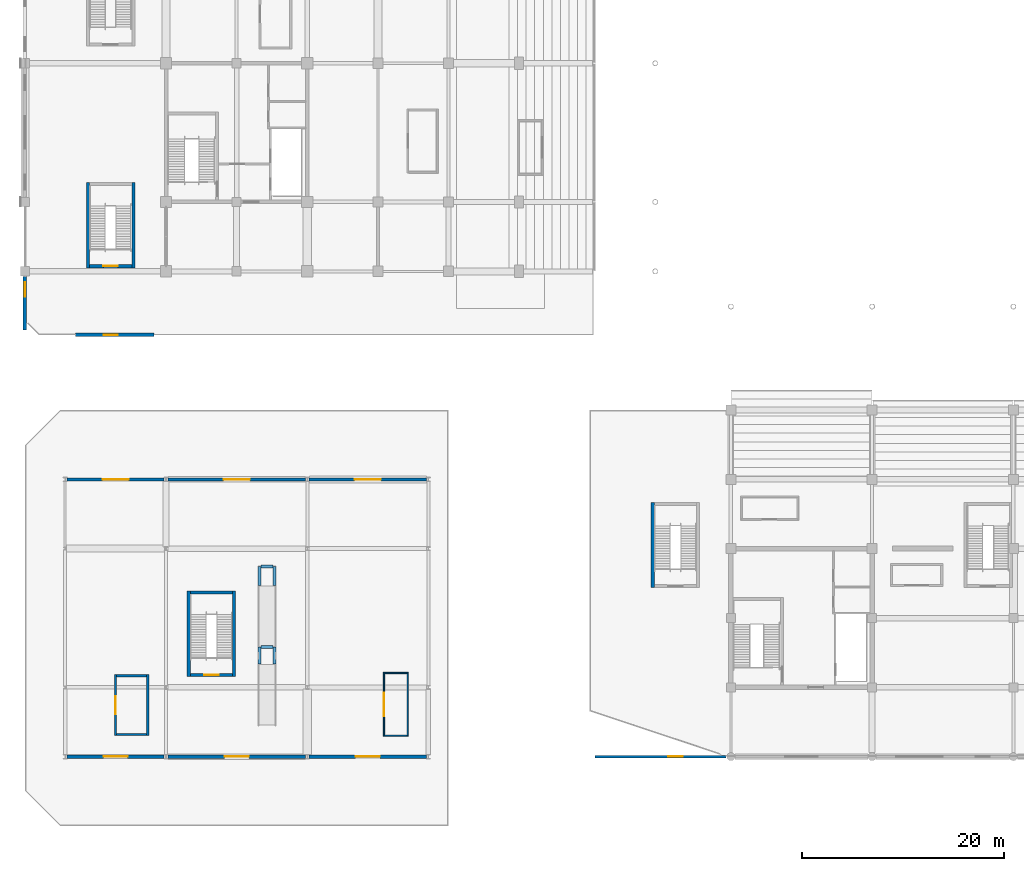
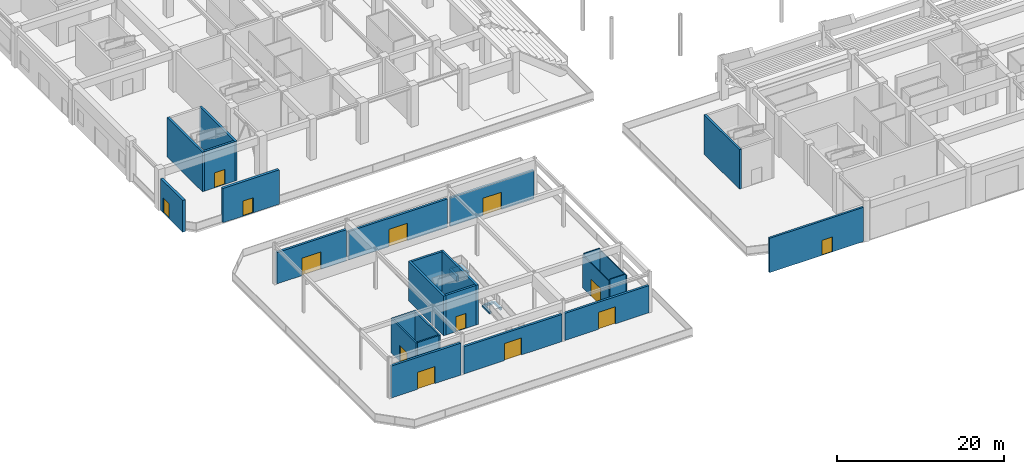
# One storey, part 37 of 73: 31 walls, 13 doors, 13 openings.
"""IFC4 building model written with IfcOpenShell, lengths in metres."""

from ifc_helpers import new_model, si_unit, direction, frame, frame_2d, origin, place, context, subcontext, project, spatial, rectangle, extrude, material, layer, layer_set, type_object, element, fill, save


model = new_model("IFC4")

# Units and contexts
model_context = context("Model", 3, precision=1e-05, world=origin(), true_north=direction((0.0, 1.0)))
body_context = subcontext(model_context, "Body", "Model", "MODEL_VIEW")
ifc_project = project(units=[si_unit("LENGTHUNIT", "METRE"), si_unit("AREAUNIT", "SQUARE_METRE"), si_unit("VOLUMEUNIT", "CUBIC_METRE"), si_unit("PLANEANGLEUNIT", "RADIAN"), si_unit("MASSUNIT", "GRAM", prefix="KILO")], contexts=[model_context])

# Site, building, storey
site_placement = place(None, origin())
site = spatial("IfcSite", under=ifc_project, at=site_placement, CompositionType="ELEMENT")
building_placement = place(site_placement, origin())
building = spatial("IfcBuilding", under=site, at=building_placement, Name="Linyun Crest Stadium", CompositionType="ELEMENT")
storey_placement = place(building_placement, origin())
storey = spatial("IfcBuildingStorey", under=building, at=storey_placement, Name="L01", CompositionType="ELEMENT", Elevation=0.0)

# Wall, opening, door
ifc_material_1 = material(Name="Concrete C40 with celadon ceramic faience", Category="concrete")
ifc_layer_1 = layer(ifc_material_1, 0.280029296875)
ifc_layer_set_1 = layer_set([ifc_layer_1], Name="Concrete C40 with celadon ceramic faience")
wall_type_1 = type_object("IfcWallType", Name="EW03", PredefinedType="SOLIDWALL", material=ifc_layer_set_1)
wall_1_placement = place(storey_placement, frame((-28.5, -94.125, 0.0), z_axis=(0.0, 0.0, 1.0), x_axis=(-1.0, 0.0, 0.0)))
wall_1 = element("IfcWall", 1, at=wall_1_placement, inside=storey, type_object=wall_type_1, Name="Exterior wall EW03 L01 30", PredefinedType="SOLIDWALL", context=body_context, shape_type="SweptSolid", body=[
    extrude(rectangle(XDim=13.0, YDim=0.280029296875, at=frame_2d((6.5, 0.0))), origin(), (0.0, 0.0, 1.0), 5.02001953125),
])
opening_1_placement = place(wall_1_placement, frame((4.300048828125, 0.0, 0.0)))
opening_1 = element("IfcOpeningElement", 2, at=opening_1_placement, cuts=wall_1, Name="Opening E-ST27", PredefinedType="OPENING", context=body_context, shape_type="SweptSolid", body=[
    extrude(rectangle(XDim=1.39990234375, YDim=2.199951171875, at=frame_2d((0.699951171875, 1.10009765625))), frame((0.0, 0.14990234375, 0.0), z_axis=(0.0, -1.0, 0.0), x_axis=(1.0, 0.0, 0.0)), (0.0, 0.0, 1.0), 0.300048828125),
])
ifc_material_2 = material(Name="Galvanized fire-rated steel leaf", Category="steel")
ifc_layer_2 = layer(ifc_material_2, 0.054931640625)
ifc_layer_set_2 = layer_set([ifc_layer_2], Name="Galvanized fire-rated steel leaf")
door_type_1 = type_object("IfcDoorType", Name="FD09", OperationType="NOTDEFINED", PredefinedType="DOOR", material=ifc_layer_set_2)
door_1_placement = place(opening_1_placement, origin())
door_1 = element("IfcDoor", 3, at=door_1_placement, inside=storey, type_object=door_type_1, Name="Stair discharge exit E-ST27", OperationType="SINGLE_SWING_RIGHT", OverallHeight=2.199951171875, OverallWidth=1.39990234375, PredefinedType="DOOR", context=body_context, shape_type="SweptSolid", body=[
    extrude(rectangle(XDim=1.39990234375, YDim=2.199951171875, at=frame_2d((0.699951171875, 1.10009765625))), frame((0.0, 0.02490234375, 0.0), z_axis=(0.0, -1.0, 0.0), x_axis=(1.0, 0.0, 0.0)), (0.0, 0.0, 1.0), 0.050048828125),
])
fill(opening_1, door_1)

ifc_material_3 = material(Name="Concrete C40 with warm ochre ceramic faience", Category="concrete")
ifc_layer_3 = layer(ifc_material_3, 0.31005859375)
ifc_layer_set_3 = layer_set([ifc_layer_3], Name="Concrete C40 with warm ochre ceramic faience")
wall_type_2 = type_object("IfcWallType", Name="EW04", PredefinedType="SOLIDWALL", material=ifc_layer_set_3)
wall_2_placement = place(storey_placement, frame((-84.18994140625, -94.125, 0.0), z_axis=(0.0, 0.0, 1.0), x_axis=(-1.0, 0.0, 0.0)))
wall_2 = element("IfcWall", 4, at=wall_2_placement, inside=storey, type_object=wall_type_2, Name="Exterior wall EW04 L01 38", PredefinedType="SOLIDWALL", context=body_context, shape_type="SweptSolid", body=[
    extrude(rectangle(XDim=9.6201171875, YDim=0.31005859375, at=frame_2d((4.81005859375, 0.0))), origin(), (0.0, 0.0, 1.0), 4.675048828125),
])
opening_2_placement = place(wall_2_placement, frame((3.610107421875, 0.0, 0.0)))
opening_2 = element("IfcOpeningElement", 5, at=opening_2_placement, cuts=wall_2, Name="Opening G05", PredefinedType="OPENING", context=body_context, shape_type="SweptSolid", body=[
    extrude(rectangle(XDim=2.39990234375, YDim=2.5, at=frame_2d((1.199951171875, 1.25))), frame((0.0, 0.1650390625, 0.0), z_axis=(0.0, -1.0, 0.0), x_axis=(1.0, 0.0, 0.0)), (0.0, 0.0, 1.0), 0.330078125),
])
ifc_material_4 = material(Name="Verdigris painted steel botanical gate", Category="steel")
ifc_layer_4 = layer(ifc_material_4, 0.054931640625)
ifc_layer_set_4 = layer_set([ifc_layer_4], Name="Verdigris painted steel botanical gate")
door_type_2 = type_object("IfcDoorType", Name="GD01", OperationType="NOTDEFINED", PredefinedType="DOOR", material=ifc_layer_set_4)
door_2_placement = place(opening_2_placement, origin())
door_2 = element("IfcDoor", 6, at=door_2_placement, inside=storey, type_object=door_type_2, Name="Pedestrian exit gate G05", OperationType="DOUBLE_DOOR_SINGLE_SWING", OverallHeight=2.5, OverallWidth=2.39990234375, PredefinedType="DOOR", context=body_context, shape_type="SweptSolid", body=[
    extrude(rectangle(XDim=2.39990234375, YDim=2.5, at=frame_2d((1.199951171875, 1.25))), frame((0.0, 0.02490234375, 0.0), z_axis=(0.0, -1.0, 0.0), x_axis=(1.0, 0.0, 0.0)), (0.0, 0.0, 1.0), 0.050048828125),
])
fill(opening_2, door_2)

wall_3_placement = place(storey_placement, frame((-93.81005859375, -66.625, 0.0), z_axis=(0.0, 0.0, 1.0), x_axis=(1.0, 0.0, 0.0)))
wall_3 = element("IfcWall", 7, at=wall_3_placement, inside=storey, type_object=wall_type_2, Name="Exterior wall EW04 L01 39", PredefinedType="SOLIDWALL", context=body_context, shape_type="SweptSolid", body=[
    extrude(rectangle(XDim=9.6201171875, YDim=0.31005859375, at=frame_2d((4.81005859375, 0.0))), origin(), (0.0, 0.0, 1.0), 4.574951171875),
])
opening_3_placement = place(wall_3_placement, frame((3.510009765625, 0.0, 0.0)))
opening_3 = element("IfcOpeningElement", 8, at=opening_3_placement, cuts=wall_3, Name="Opening G06", PredefinedType="OPENING", context=body_context, shape_type="SweptSolid", body=[
    extrude(rectangle(XDim=2.60009765625, YDim=2.550048828125, at=frame_2d((1.300048828125, 1.27490234375))), frame((0.0, 0.1650390625, 0.0), z_axis=(0.0, -1.0, 0.0), x_axis=(1.0, 0.0, 0.0)), (0.0, 0.0, 1.0), 0.330078125),
])
ifc_material_5 = material(Name="Verdigris painted steel botanical gate", Category="steel")
ifc_layer_5 = layer(ifc_material_5, 0.054931640625)
ifc_layer_set_5 = layer_set([ifc_layer_5], Name="Verdigris painted steel botanical gate")
door_type_3 = type_object("IfcDoorType", Name="GD02", OperationType="NOTDEFINED", PredefinedType="DOOR", material=ifc_layer_set_5)
door_3_placement = place(opening_3_placement, origin())
door_3 = element("IfcDoor", 9, at=door_3_placement, inside=storey, type_object=door_type_3, Name="Pedestrian exit gate G06", OperationType="DOUBLE_DOOR_SINGLE_SWING", OverallHeight=2.550048828125, OverallWidth=2.60009765625, PredefinedType="DOOR", context=body_context, shape_type="SweptSolid", body=[
    extrude(rectangle(XDim=2.60009765625, YDim=2.550048828125, at=frame_2d((1.300048828125, 1.27490234375))), frame((0.0, 0.02490234375, 0.0), z_axis=(0.0, -1.0, 0.0), x_axis=(1.0, 0.0, 0.0)), (0.0, 0.0, 1.0), 0.050048828125),
])
fill(opening_3, door_3)

wall_4_placement = place(storey_placement, frame((-70.18994140625, -94.125, 0.0), z_axis=(0.0, 0.0, 1.0), x_axis=(-1.0, 0.0, 0.0)))
wall_4 = element("IfcWall", 10, at=wall_4_placement, inside=storey, type_object=wall_type_2, Name="Exterior wall EW04 L01 42", PredefinedType="SOLIDWALL", context=body_context, shape_type="SweptSolid", body=[
    extrude(rectangle(XDim=13.6201171875, YDim=0.31005859375, at=frame_2d((6.81005859375, 0.0))), origin(), (0.0, 0.0, 1.0), 3.97509765625),
])
opening_4_placement = place(wall_4_placement, frame((5.610107421875, 0.0, 0.0)))
opening_4 = element("IfcOpeningElement", 11, at=opening_4_placement, cuts=wall_4, Name="Opening G09", PredefinedType="OPENING", context=body_context, shape_type="SweptSolid", body=[
    extrude(rectangle(XDim=2.39990234375, YDim=2.5, at=frame_2d((1.199951171875, 1.25))), frame((0.0, 0.1650390625, 0.0), z_axis=(0.0, -1.0, 0.0), x_axis=(1.0, 0.0, 0.0)), (0.0, 0.0, 1.0), 0.330078125),
])
door_4_placement = place(opening_4_placement, origin())
door_4 = element("IfcDoor", 12, at=door_4_placement, inside=storey, type_object=door_type_2, Name="Pedestrian exit gate G09", OperationType="DOUBLE_DOOR_SINGLE_SWING", OverallHeight=2.5, OverallWidth=2.39990234375, PredefinedType="DOOR", context=body_context, shape_type="SweptSolid", body=[
    extrude(rectangle(XDim=2.39990234375, YDim=2.5, at=frame_2d((1.199951171875, 1.25))), frame((0.0, 0.02490234375, 0.0), z_axis=(0.0, -1.0, 0.0), x_axis=(1.0, 0.0, 0.0)), (0.0, 0.0, 1.0), 0.050048828125),
])
fill(opening_4, door_4)

wall_5_placement = place(storey_placement, frame((-83.81005859375, -66.625, 0.0), z_axis=(0.0, 0.0, 1.0), x_axis=(1.0, 0.0, 0.0)))
wall_5 = element("IfcWall", 13, at=wall_5_placement, inside=storey, type_object=wall_type_2, Name="Exterior wall EW04 L01 43", PredefinedType="SOLIDWALL", context=body_context, shape_type="SweptSolid", body=[
    extrude(rectangle(XDim=13.6201171875, YDim=0.31005859375, at=frame_2d((6.81005859375, 0.0))), origin(), (0.0, 0.0, 1.0), 4.175048828125),
])
opening_5_placement = place(wall_5_placement, frame((5.510009765625, 0.0, 0.0)))
opening_5 = element("IfcOpeningElement", 14, at=opening_5_placement, cuts=wall_5, Name="Opening G10", PredefinedType="OPENING", context=body_context, shape_type="SweptSolid", body=[
    extrude(rectangle(XDim=2.60009765625, YDim=2.550048828125, at=frame_2d((1.300048828125, 1.27490234375))), frame((0.0, 0.1650390625, 0.0), z_axis=(0.0, -1.0, 0.0), x_axis=(1.0, 0.0, 0.0)), (0.0, 0.0, 1.0), 0.330078125),
])
door_5_placement = place(opening_5_placement, origin())
door_5 = element("IfcDoor", 15, at=door_5_placement, inside=storey, type_object=door_type_3, Name="Pedestrian exit gate G10", OperationType="DOUBLE_DOOR_SINGLE_SWING", OverallHeight=2.550048828125, OverallWidth=2.60009765625, PredefinedType="DOOR", context=body_context, shape_type="SweptSolid", body=[
    extrude(rectangle(XDim=2.60009765625, YDim=2.550048828125, at=frame_2d((1.300048828125, 1.27490234375))), frame((0.0, 0.02490234375, 0.0), z_axis=(0.0, -1.0, 0.0), x_axis=(1.0, 0.0, 0.0)), (0.0, 0.0, 1.0), 0.050048828125),
])
fill(opening_5, door_5)

wall_6_placement = place(storey_placement, frame((-58.18994140625, -94.125, 0.0), z_axis=(0.0, 0.0, 1.0), x_axis=(-1.0, 0.0, 0.0)))
wall_6 = element("IfcWall", 16, at=wall_6_placement, inside=storey, type_object=wall_type_2, Name="Exterior wall EW04 L01 46", PredefinedType="SOLIDWALL", context=body_context, shape_type="SweptSolid", body=[
    extrude(rectangle(XDim=11.6201171875, YDim=0.31005859375, at=frame_2d((5.81005859375, 0.0))), origin(), (0.0, 0.0, 1.0), 3.97509765625),
])
opening_6_placement = place(wall_6_placement, frame((4.610107421875, 0.0, 0.0)))
opening_6 = element("IfcOpeningElement", 17, at=opening_6_placement, cuts=wall_6, Name="Opening G13", PredefinedType="OPENING", context=body_context, shape_type="SweptSolid", body=[
    extrude(rectangle(XDim=2.39990234375, YDim=2.5, at=frame_2d((1.199951171875, 1.25))), frame((0.0, 0.1650390625, 0.0), z_axis=(0.0, -1.0, 0.0), x_axis=(1.0, 0.0, 0.0)), (0.0, 0.0, 1.0), 0.330078125),
])
door_6_placement = place(opening_6_placement, origin())
door_6 = element("IfcDoor", 18, at=door_6_placement, inside=storey, type_object=door_type_2, Name="Pedestrian exit gate G13", OperationType="DOUBLE_DOOR_SINGLE_SWING", OverallHeight=2.5, OverallWidth=2.39990234375, PredefinedType="DOOR", context=body_context, shape_type="SweptSolid", body=[
    extrude(rectangle(XDim=2.39990234375, YDim=2.5, at=frame_2d((1.199951171875, 1.25))), frame((0.0, 0.02490234375, 0.0), z_axis=(0.0, -1.0, 0.0), x_axis=(1.0, 0.0, 0.0)), (0.0, 0.0, 1.0), 0.050048828125),
])
fill(opening_6, door_6)

wall_7_placement = place(storey_placement, frame((-69.81005859375, -66.625, 0.0), z_axis=(0.0, 0.0, 1.0), x_axis=(1.0, 0.0, 0.0)))
wall_7 = element("IfcWall", 19, at=wall_7_placement, inside=storey, type_object=wall_type_2, Name="Exterior wall EW04 L01 47", PredefinedType="SOLIDWALL", context=body_context, shape_type="SweptSolid", body=[
    extrude(rectangle(XDim=11.6201171875, YDim=0.31005859375, at=frame_2d((5.81005859375, 0.0))), origin(), (0.0, 0.0, 1.0), 4.175048828125),
])
opening_7_placement = place(wall_7_placement, frame((4.510009765625, 0.0, 0.0)))
opening_7 = element("IfcOpeningElement", 20, at=opening_7_placement, cuts=wall_7, Name="Opening G14", PredefinedType="OPENING", context=body_context, shape_type="SweptSolid", body=[
    extrude(rectangle(XDim=2.60009765625, YDim=2.550048828125, at=frame_2d((1.300048828125, 1.27490234375))), frame((0.0, 0.1650390625, 0.0), z_axis=(0.0, -1.0, 0.0), x_axis=(1.0, 0.0, 0.0)), (0.0, 0.0, 1.0), 0.330078125),
])
door_7_placement = place(opening_7_placement, origin())
door_7 = element("IfcDoor", 21, at=door_7_placement, inside=storey, type_object=door_type_3, Name="Pedestrian exit gate G14", OperationType="DOUBLE_DOOR_SINGLE_SWING", OverallHeight=2.550048828125, OverallWidth=2.60009765625, PredefinedType="DOOR", context=body_context, shape_type="SweptSolid", body=[
    extrude(rectangle(XDim=2.60009765625, YDim=2.550048828125, at=frame_2d((1.300048828125, 1.27490234375))), frame((0.0, 0.02490234375, 0.0), z_axis=(0.0, -1.0, 0.0), x_axis=(1.0, 0.0, 0.0)), (0.0, 0.0, 1.0), 0.050048828125),
])
fill(opening_7, door_7)

ifc_material_6 = material(Name="Precast concrete C40 architectural plinth panel", Category="concrete")
ifc_layer_6 = layer(ifc_material_6, 0.360107421875)
ifc_layer_set_6 = layer_set([ifc_layer_6], Name="Precast concrete C40 architectural plinth panel")
wall_type_3 = type_object("IfcWallType", Name="EW06", PredefinedType="SOLIDWALL", material=ifc_layer_set_6)
wall_8_placement = place(storey_placement, frame((-85.199951171875, -52.300048828125, 0.0), z_axis=(0.0, 0.0, 1.0), x_axis=(-1.0, 0.0, 0.0)))
wall_8 = element("IfcWall", 22, at=wall_8_placement, inside=storey, type_object=wall_type_3, Name="Exterior wall EW06 L01 25", PredefinedType="SOLIDWALL", context=body_context, shape_type="SweptSolid", body=[
    extrude(rectangle(XDim=7.800048828125, YDim=0.360107421875, at=frame_2d((3.89990234375, 0.0))), origin(), (0.0, 0.0, 1.0), 5.02001953125),
])
opening_8_placement = place(wall_8_placement, frame((3.60009765625, 0.0, 0.0)))
opening_8 = element("IfcOpeningElement", 23, at=opening_8_placement, cuts=wall_8, Name="Opening FD-FC1", PredefinedType="OPENING", context=body_context, shape_type="SweptSolid", body=[
    extrude(rectangle(XDim=1.39990234375, YDim=2.199951171875, at=frame_2d((0.699951171875, 1.10009765625))), frame((0.0, 0.18994140625, 0.0), z_axis=(0.0, -1.0, 0.0), x_axis=(1.0, 0.0, 0.0)), (0.0, 0.0, 1.0), 0.380126953125),
])
door_8_placement = place(opening_8_placement, origin())
door_8 = element("IfcDoor", 24, at=door_8_placement, inside=storey, type_object=door_type_1, Name="Fire Command Centre exterior exit FD-FC1", OperationType="SINGLE_SWING_RIGHT", OverallHeight=2.199951171875, OverallWidth=1.39990234375, PredefinedType="DOOR", context=body_context, shape_type="SweptSolid", body=[
    extrude(rectangle(XDim=1.39990234375, YDim=2.199951171875, at=frame_2d((0.699951171875, 1.10009765625))), frame((0.0, 0.02490234375, 0.0), z_axis=(0.0, -1.0, 0.0), x_axis=(1.0, 0.0, 0.0)), (0.0, 0.0, 1.0), 0.050048828125),
])
fill(opening_8, door_8)

wall_9_placement = place(storey_placement, frame((-98.0, -51.800048828125, 0.0), z_axis=(0.0, 0.0, 1.0), x_axis=(0.0, 1.0, 0.0)))
wall_9 = element("IfcWall", 25, at=wall_9_placement, inside=storey, type_object=wall_type_3, Name="Exterior wall EW06 L01 26", PredefinedType="SOLIDWALL", context=body_context, shape_type="SweptSolid", body=[
    extrude(rectangle(XDim=5.300048828125, YDim=0.360107421875, at=frame_2d((2.64990234375, 0.0))), origin(), (0.0, 0.0, 1.0), 4.655029296875),
])
opening_9_placement = place(wall_9_placement, frame((3.300048828125, 0.0, 0.0)))
opening_9 = element("IfcOpeningElement", 26, at=opening_9_placement, cuts=wall_9, Name="Opening E-ST13", PredefinedType="OPENING", context=body_context, shape_type="SweptSolid", body=[
    extrude(rectangle(XDim=1.39990234375, YDim=2.199951171875, at=frame_2d((0.699951171875, 1.10009765625))), frame((0.0, 0.18994140625, 0.0), z_axis=(0.0, -1.0, 0.0), x_axis=(1.0, 0.0, 0.0)), (0.0, 0.0, 1.0), 0.380126953125),
])
door_9_placement = place(opening_9_placement, origin())
door_9 = element("IfcDoor", 27, at=door_9_placement, inside=storey, type_object=door_type_1, Name="Stair discharge exit E-ST13", OperationType="SINGLE_SWING_RIGHT", OverallHeight=2.199951171875, OverallWidth=1.39990234375, PredefinedType="DOOR", context=body_context, shape_type="SweptSolid", body=[
    extrude(rectangle(XDim=1.39990234375, YDim=2.199951171875, at=frame_2d((0.699951171875, 1.10009765625))), frame((0.0, 0.02490234375, 0.0), z_axis=(0.0, -1.0, 0.0), x_axis=(1.0, 0.0, 0.0)), (0.0, 0.0, 1.0), 0.050048828125),
])
fill(opening_9, door_9)

ifc_material_7 = material(Name="Acoustic broadcast studio double-leaf partition")
ifc_layer_7 = layer(ifc_material_7, 0.219970703125)
ifc_layer_set_7 = layer_set([ifc_layer_7], Name="Acoustic broadcast studio double-leaf partition")
wall_type_4 = type_object("IfcWallType", Name="PW16", PredefinedType="PARTITIONING", material=ifc_layer_set_7)
wall_10_placement = place(storey_placement, frame((-89.01708984375, -92.04296875, 0.0), z_axis=(0.0, 0.0, 1.0), x_axis=(0.0, 1.0, 0.0)))
wall_10 = element("IfcWall", 28, at=wall_10_placement, inside=storey, type_object=wall_type_4, Name="Partition PW16 L01 177", PredefinedType="PARTITIONING", context=body_context, shape_type="SweptSolid", body=[
    extrude(rectangle(XDim=6.050048828125, YDim=0.219970703125, at=frame_2d((3.02490234375, 0.0))), origin(), (0.0, 0.0, 1.0), 5.02001953125),
])
opening_10_placement = place(wall_10_placement, frame((2.14990234375, 0.0, 0.0)))
opening_10 = element("IfcOpeningElement", 29, at=opening_10_placement, cuts=wall_10, Name="Opening D-L01-440", PredefinedType="OPENING", context=body_context, shape_type="SweptSolid", body=[
    extrude(rectangle(XDim=1.75, YDim=2.35009765625, at=frame_2d((0.875, 1.175048828125))), frame((0.0, 0.119873046875, 0.0), z_axis=(0.0, -1.0, 0.0), x_axis=(1.0, 0.0, 0.0)), (0.0, 0.0, 1.0), 0.239990234375),
])
ifc_material_8 = material(Name="Art Nouveau brass-inlaid double door")
ifc_layer_8 = layer(ifc_material_8, 0.054931640625)
ifc_layer_set_8 = layer_set([ifc_layer_8], Name="Art Nouveau brass-inlaid double door")
door_type_4 = type_object("IfcDoorType", Name="ID13", OperationType="NOTDEFINED", PredefinedType="DOOR", material=ifc_layer_set_8)
door_10_placement = place(opening_10_placement, origin())
door_10 = element("IfcDoor", 30, at=door_10_placement, inside=storey, type_object=door_type_4, Name="Door D-L01-440", OperationType="DOUBLE_DOOR_SINGLE_SWING", OverallHeight=2.35009765625, OverallWidth=1.75, PredefinedType="DOOR", context=body_context, shape_type="SweptSolid", body=[
    extrude(rectangle(XDim=1.75, YDim=2.35009765625, at=frame_2d((0.875, 1.175048828125))), frame((0.0, 0.02490234375, 0.0), z_axis=(0.0, -1.0, 0.0), x_axis=(1.0, 0.0, 0.0)), (0.0, 0.0, 1.0), 0.050048828125),
])
fill(opening_10, door_10)

# Walls
wall_11_placement = place(storey_placement, frame((-85.81689453125, -92.04296875, 0.0), z_axis=(0.0, 0.0, 1.0), x_axis=(0.0, 1.0, 0.0)))
element("IfcWall", 31, at=wall_11_placement, inside=storey, type_object=wall_type_4, Name="Enclosure partition PW16 L01 247", PredefinedType="PARTITIONING", context=body_context, shape_type="SweptSolid", body=[
    extrude(rectangle(XDim=6.050048828125, YDim=0.219970703125, at=frame_2d((3.02490234375, 0.0))), origin(), (0.0, 0.0, 1.0), 5.02001953125),
])
for number, where, z_axis, x_axis, name in (
    (32, (-88.906982421875, -91.93310546875, 0.0), (0.0, 0.0, 1.0), (1.0, 0.0, 0.0), "Enclosure partition PW16 L01 248"),
    (33, (-88.906982421875, -86.10302734375, 0.0), (0.0, 0.0, 1.0), (1.0, 0.0, 0.0), "Enclosure partition PW16 L01 249"),
):
    element("IfcWall", number, at=place(storey_placement, frame(where, z_axis=z_axis, x_axis=x_axis)), inside=storey, type_object=wall_type_4, Name=name, PredefinedType="PARTITIONING", context=body_context, shape_type="SweptSolid", body=[
        extrude(rectangle(XDim=2.97998046875, YDim=0.219970703125, at=frame_2d((1.489990234375, 0.0))), origin(), (0.0, 0.0, 1.0), 5.02001953125),
    ])

# Wall, opening, door
ifc_material_9 = material(Name="Steel-stud hospitality suite partition", Category="steel")
ifc_layer_9 = layer(ifc_material_9, 0.125)
ifc_layer_set_9 = layer_set([ifc_layer_9], Name="Steel-stud hospitality suite partition")
wall_type_5 = type_object("IfcWallType", Name="PW17", PredefinedType="PARTITIONING", material=ifc_layer_set_9)
wall_12_placement = place(storey_placement, frame((-62.39990234375, -92.10888671875, 0.0), z_axis=(0.0, 0.0, 1.0), x_axis=(0.0, 1.0, 0.0)))
wall_12 = element("IfcWall", 34, at=wall_12_placement, inside=storey, type_object=wall_type_5, Name="Partition PW17 L01 178", PredefinedType="PARTITIONING", context=body_context, shape_type="SweptSolid", body=[
    extrude(rectangle(XDim=6.33984375, YDim=0.125, at=frame_2d((3.169921875, 0.0))), origin(), (0.0, 0.0, 1.0), 4.77490234375),
])
opening_11_placement = place(wall_12_placement, frame((1.9951171875, 0.0, 0.0)))
opening_11 = element("IfcOpeningElement", 35, at=opening_11_placement, cuts=wall_12, Name="Opening D-L01-441", PredefinedType="OPENING", context=body_context, shape_type="SweptSolid", body=[
    extrude(rectangle(XDim=2.35009765625, YDim=2.5, at=frame_2d((1.175048828125, 1.25))), frame((0.0, 0.072509765625, 0.0), z_axis=(0.0, -1.0, 0.0), x_axis=(1.0, 0.0, 0.0)), (0.0, 0.0, 1.0), 0.14501953125),
])
ifc_material_10 = material(Name="Wide impact-resistant double leaf")
ifc_layer_10 = layer(ifc_material_10, 0.054931640625)
ifc_layer_set_10 = layer_set([ifc_layer_10], Name="Wide impact-resistant double leaf")
door_type_5 = type_object("IfcDoorType", Name="ID14", OperationType="NOTDEFINED", PredefinedType="DOOR", material=ifc_layer_set_10)
door_11_placement = place(opening_11_placement, origin())
door_11 = element("IfcDoor", 36, at=door_11_placement, inside=storey, type_object=door_type_5, Name="Door D-L01-441", OperationType="DOUBLE_DOOR_SINGLE_SWING", OverallHeight=2.5, OverallWidth=2.35009765625, PredefinedType="DOOR", context=body_context, shape_type="SweptSolid", body=[
    extrude(rectangle(XDim=2.35009765625, YDim=2.5, at=frame_2d((1.175048828125, 1.25))), frame((0.0, 0.02490234375, 0.0), z_axis=(0.0, -1.0, 0.0), x_axis=(1.0, 0.0, 0.0)), (0.0, 0.0, 1.0), 0.050048828125),
])
fill(opening_11, door_11)

# Walls
wall_13_placement = place(storey_placement, frame((-60.0400390625, -92.10888671875, 0.0), z_axis=(0.0, 0.0, 1.0), x_axis=(0.0, 1.0, 0.0)))
element("IfcWall", 37, at=wall_13_placement, inside=storey, type_object=wall_type_5, Name="Enclosure partition PW17 L01 250", PredefinedType="PARTITIONING", context=body_context, shape_type="SweptSolid", body=[
    extrude(rectangle(XDim=6.33984375, YDim=0.125, at=frame_2d((3.169921875, 0.0))), origin(), (0.0, 0.0, 1.0), 4.77490234375),
])
for number, where, z_axis, x_axis, name in (
    (38, (-62.3369140625, -92.0458984375, 0.0), (0.0, 0.0, 1.0), (1.0, 0.0, 0.0), "Enclosure partition PW17 L01 251"),
    (39, (-62.3369140625, -85.83203125, 0.0), (0.0, 0.0, 1.0), (1.0, 0.0, 0.0), "Enclosure partition PW17 L01 252"),
):
    element("IfcWall", number, at=place(storey_placement, frame(where, z_axis=z_axis, x_axis=x_axis)), inside=storey, type_object=wall_type_5, Name=name, PredefinedType="PARTITIONING", context=body_context, shape_type="SweptSolid", body=[
        extrude(rectangle(XDim=2.23388671875, YDim=0.125, at=frame_2d((1.116943359375, 0.0))), origin(), (0.0, 0.0, 1.0), 5.02001953125),
    ])

# Wall, opening, door
ifc_material_11 = material(Name="Concrete C50", Category="concrete")
ifc_layer_11 = layer(ifc_material_11, 0.300048828125)
ifc_layer_set_11 = layer_set([ifc_layer_11], Name="Concrete C50")
wall_type_6 = type_object("IfcWallType", Name="SW01", PredefinedType="SHEAR", material=ifc_layer_set_11)
wall_14_placement = place(storey_placement, frame((-91.60009765625, -45.5, 0.0), z_axis=(0.0, 0.0, 1.0), x_axis=(1.0, 0.0, 0.0)))
wall_14 = element("IfcWall", 40, at=wall_14_placement, inside=storey, type_object=wall_type_6, Name="Stair shaft wall SW01 STR-13 L01 S", PredefinedType="SHEAR", context=body_context, shape_type="SweptSolid", body=[
    extrude(rectangle(XDim=4.2001953125, YDim=0.300048828125, at=frame_2d((2.10009765625, 0.0))), origin(), (0.0, 0.0, 1.0), 5.780029296875),
])
opening_12_placement = place(wall_14_placement, frame((1.375, 0.0, 0.0)))
opening_12 = element("IfcOpeningElement", 41, at=opening_12_placement, cuts=wall_14, Name="Opening D-L01-541", PredefinedType="OPENING", context=body_context, shape_type="SweptSolid", body=[
    extrude(rectangle(XDim=1.449951171875, YDim=2.199951171875, at=frame_2d((0.72509765625, 1.10009765625))), frame((0.0, 0.159912109375, 0.0), z_axis=(0.0, -1.0, 0.0), x_axis=(1.0, 0.0, 0.0)), (0.0, 0.0, 1.0), 0.320068359375),
])
ifc_material_12 = material(Name="Galvanized steel Class A fire door", Category="steel")
ifc_layer_12 = layer(ifc_material_12, 0.054931640625)
ifc_layer_set_12 = layer_set([ifc_layer_12], Name="Galvanized steel Class A fire door")
door_type_6 = type_object("IfcDoorType", Name="FD02", OperationType="NOTDEFINED", PredefinedType="DOOR", material=ifc_layer_set_12)
door_12_placement = place(opening_12_placement, origin())
door_12 = element("IfcDoor", 42, at=door_12_placement, inside=storey, type_object=door_type_6, Name="Door D-L01-541", OperationType="SINGLE_SWING_LEFT", OverallHeight=2.199951171875, OverallWidth=1.449951171875, PredefinedType="DOOR", context=body_context, shape_type="SweptSolid", body=[
    extrude(rectangle(XDim=1.449951171875, YDim=2.199951171875, at=frame_2d((0.72509765625, 1.10009765625))), frame((0.0, 0.02490234375, 0.0), z_axis=(0.0, -1.0, 0.0), x_axis=(1.0, 0.0, 0.0)), (0.0, 0.0, 1.0), 0.050048828125),
])
fill(opening_12, door_12)

# Walls
for number, where, z_axis, x_axis, name in (
    (43, (-91.75, -45.64990234375, 0.0), (0.0, 0.0, 1.0), (0.0, 1.0, 0.0), "Stair shaft wall SW01 STR-13 L01 W"),
    (44, (-87.25, -45.64990234375, 0.0), (0.0, 0.0, 1.0), (0.0, 1.0, 0.0), "Stair shaft wall SW01 STR-13 L01 E"),
):
    element("IfcWall", number, at=place(storey_placement, frame(where, z_axis=z_axis, x_axis=x_axis)), inside=storey, type_object=wall_type_6, Name=name, PredefinedType="SHEAR", context=body_context, shape_type="SweptSolid", body=[
        extrude(rectangle(XDim=8.449951171875, YDim=0.300048828125, at=frame_2d((4.22509765625, 0.0))), origin(), (0.0, 0.0, 1.0), 5.780029296875),
    ])
wall_15_placement = place(storey_placement, frame((-35.75, -77.35009765625, 0.0), z_axis=(0.0, 0.0, 1.0), x_axis=(0.0, 1.0, 0.0)))
element("IfcWall", 45, at=wall_15_placement, inside=storey, type_object=wall_type_6, Name="Stair shaft wall SW01 STR-27 L01 W", PredefinedType="SHEAR", context=body_context, shape_type="SweptSolid", body=[
    extrude(rectangle(XDim=8.4501953125, YDim=0.300048828125, at=frame_2d((4.22509765625, 0.0))), origin(), (0.0, 0.0, 1.0), 5.780029296875),
])

# Wall, opening, door
wall_16_placement = place(storey_placement, frame((-81.60009765625, -86.0, 0.0), z_axis=(0.0, 0.0, 1.0), x_axis=(1.0, 0.0, 0.0)))
wall_16 = element("IfcWall", 46, at=wall_16_placement, inside=storey, type_object=wall_type_6, Name="Stair shaft wall SW01 STR-30 L01 S", PredefinedType="SHEAR", context=body_context, shape_type="SweptSolid", body=[
    extrude(rectangle(XDim=4.2001953125, YDim=0.300048828125, at=frame_2d((2.10009765625, 0.0))), origin(), (0.0, 0.0, 1.0), 5.800048828125),
])
opening_13_placement = place(wall_16_placement, frame((1.375, 0.0, 0.0)))
opening_13 = element("IfcOpeningElement", 47, at=opening_13_placement, cuts=wall_16, Name="Opening D-L01-628", PredefinedType="OPENING", context=body_context, shape_type="SweptSolid", body=[
    extrude(rectangle(XDim=1.449951171875, YDim=2.199951171875, at=frame_2d((0.72509765625, 1.10009765625))), frame((0.0, 0.159912109375, 0.0), z_axis=(0.0, -1.0, 0.0), x_axis=(1.0, 0.0, 0.0)), (0.0, 0.0, 1.0), 0.320068359375),
])
door_13_placement = place(opening_13_placement, origin())
door_13 = element("IfcDoor", 48, at=door_13_placement, inside=storey, type_object=door_type_6, Name="Door D-L01-628", OperationType="SINGLE_SWING_RIGHT", OverallHeight=2.199951171875, OverallWidth=1.449951171875, PredefinedType="DOOR", context=body_context, shape_type="SweptSolid", body=[
    extrude(rectangle(XDim=1.449951171875, YDim=2.199951171875, at=frame_2d((0.72509765625, 1.10009765625))), frame((0.0, 0.02490234375, 0.0), z_axis=(0.0, -1.0, 0.0), x_axis=(1.0, 0.0, 0.0)), (0.0, 0.0, 1.0), 0.050048828125),
])
fill(opening_13, door_13)

# Walls
wall_17_placement = place(storey_placement, frame((-81.60009765625, -77.85009765625, 0.0), z_axis=(0.0, 0.0, 1.0), x_axis=(1.0, 0.0, 0.0)))
element("IfcWall", 49, at=wall_17_placement, inside=storey, type_object=wall_type_6, Name="Stair shaft wall SW01 STR-30 L01 N", PredefinedType="SHEAR", context=body_context, shape_type="SweptSolid", body=[
    extrude(rectangle(XDim=4.2001953125, YDim=0.300048828125, at=frame_2d((2.10009765625, 0.0))), origin(), (0.0, 0.0, 1.0), 5.800048828125),
])
for number, where, z_axis, x_axis, name in (
    (50, (-81.75, -86.14990234375, 0.0), (0.0, 0.0, 1.0), (0.0, 1.0, 0.0), "Stair shaft wall SW01 STR-30 L01 W"),
    (51, (-77.25, -86.14990234375, 0.0), (0.0, 0.0, 1.0), (0.0, 1.0, 0.0), "Stair shaft wall SW01 STR-30 L01 E"),
):
    element("IfcWall", number, at=place(storey_placement, frame(where, z_axis=z_axis, x_axis=x_axis)), inside=storey, type_object=wall_type_6, Name=name, PredefinedType="SHEAR", context=body_context, shape_type="SweptSolid", body=[
        extrude(rectangle(XDim=8.449951171875, YDim=0.300048828125, at=frame_2d((4.22509765625, 0.0))), origin(), (0.0, 0.0, 1.0), 5.800048828125),
    ])
for number, where, z_axis, x_axis, name in (
    (52, (-74.75, -84.949951171875, 0.0), (0.0, 0.0, 1.0), (0.0, 1.0, 0.0), "Ramp plinth wall SW01 RMP-05.1W"),
    (53, (-73.25, -84.949951171875, 0.0), (0.0, 0.0, 1.0), (0.0, 1.0, 0.0), "Ramp plinth wall SW01 RMP-05.1E"),
):
    element("IfcWall", number, at=place(storey_placement, frame(where, z_axis=z_axis, x_axis=x_axis)), inside=storey, type_object=wall_type_6, Name=name, PredefinedType="SHEAR", context=body_context, shape_type="SweptSolid", body=[
        extrude(rectangle(XDim=1.699951171875, YDim=0.300048828125, at=frame_2d((0.85009765625, 0.0))), origin(), (0.0, 0.0, 1.0), 0.300048828125),
    ])
wall_18_placement = place(storey_placement, frame((-74.60009765625, -83.25, 0.0), z_axis=(0.0, 0.0, 1.0), x_axis=(1.0, 0.0, 0.0)))
element("IfcWall", 54, at=wall_18_placement, inside=storey, type_object=wall_type_6, Name="Ramp plinth wall SW01 RMP-05.1N", PredefinedType="SHEAR", context=body_context, shape_type="SweptSolid", body=[
    extrude(rectangle(XDim=1.2001953125, YDim=0.300048828125, at=frame_2d((0.60009765625, 0.0))), origin(), (0.0, 0.0, 1.0), 0.300048828125),
])
for number, where, z_axis, x_axis, name in (
    (55, (-74.75, -77.14990234375, 0.0), (0.0, 0.0, 1.0), (0.0, 1.0, 0.0), "Ramp plinth wall SW01 RMP-05.2W"),
    (56, (-73.25, -77.14990234375, 0.0), (0.0, 0.0, 1.0), (0.0, 1.0, 0.0), "Ramp plinth wall SW01 RMP-05.2E"),
):
    element("IfcWall", number, at=place(storey_placement, frame(where, z_axis=z_axis, x_axis=x_axis)), inside=storey, type_object=wall_type_6, Name=name, PredefinedType="SHEAR", context=body_context, shape_type="SweptSolid", body=[
        extrude(rectangle(XDim=1.89990234375, YDim=0.300048828125, at=frame_2d((0.949951171875, 0.0))), origin(), (0.0, 0.0, 1.0), 0.800048828125),
    ])
wall_19_placement = place(storey_placement, frame((-74.60009765625, -75.25, 0.0), z_axis=(0.0, 0.0, 1.0), x_axis=(1.0, 0.0, 0.0)))
element("IfcWall", 57, at=wall_19_placement, inside=storey, type_object=wall_type_6, Name="Ramp plinth wall SW01 RMP-05.2N", PredefinedType="SHEAR", context=body_context, shape_type="SweptSolid", body=[
    extrude(rectangle(XDim=1.2001953125, YDim=0.300048828125, at=frame_2d((0.60009765625, 0.0))), origin(), (0.0, 0.0, 1.0), 0.800048828125),
])

save(model, "model.ifc")
